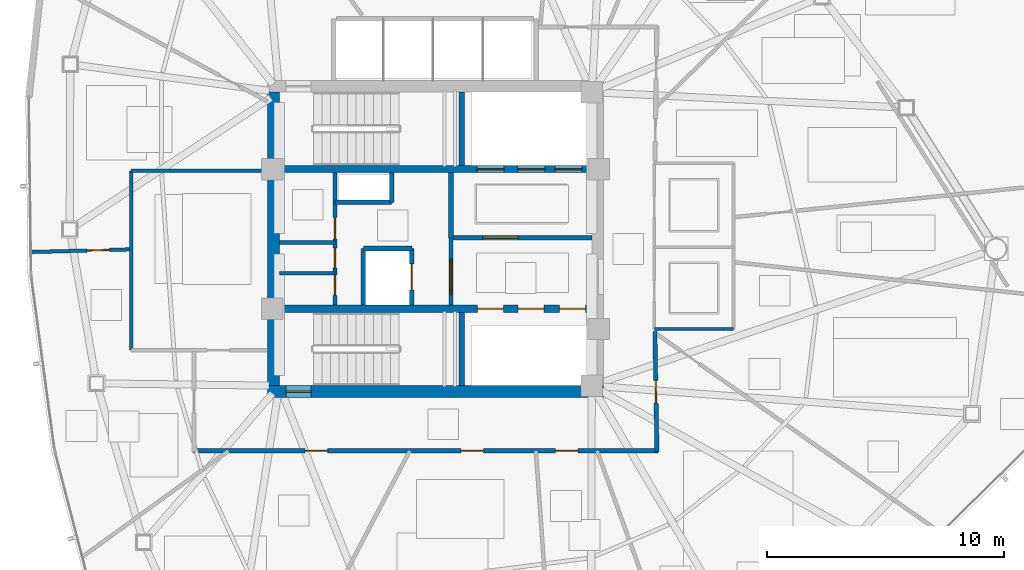
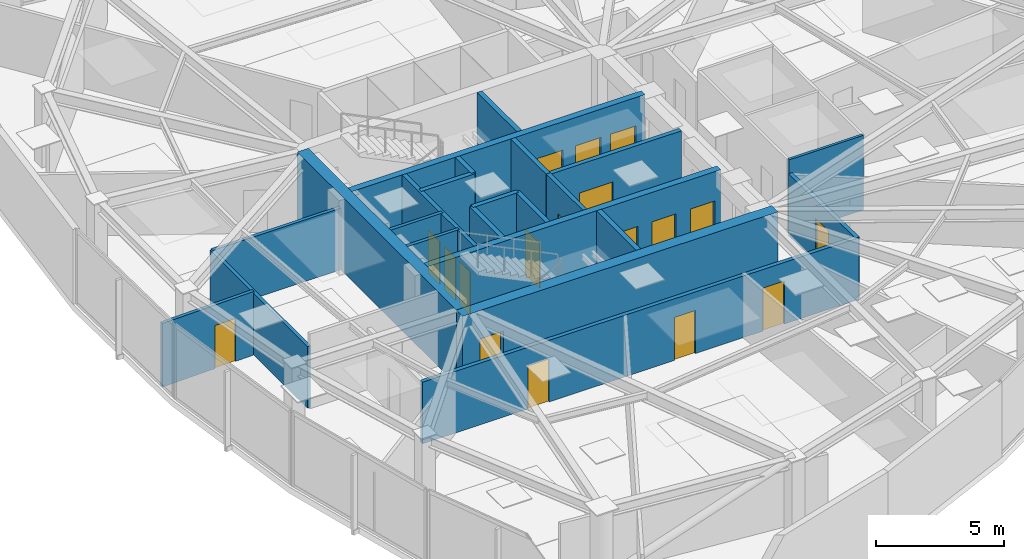
# One storey, part 12 of 18: 23 walls, 18 doors, 18 openings.
"""IFC4 building model written with IfcOpenShell, lengths in metres."""

import ifcopenshell
import ifcopenshell.guid

model = None  # the IFC model being written
_history = None  # IfcOwnerHistory: only IFC2X3 demands one
_inside = {}  # id of a spatial element -> (the spatial element, [elements in it])
_under = {}  # id of a project, library or spatial element -> (it, [spatial elements below it])
_declared = {}  # id of a project -> (the project, [libraries it declares])
_typed = {}  # id of a type object -> (the type object, [elements of that type])
_made_of = {}  # id of a material, layer set ... -> (it, [elements and type objects made of it])


def new_model(schema):
    """Start an empty IFC model of exactly this schema.

    Asked for "IFC4X3", IfcOpenShell would pick the latest addendum, in which some entities
    have other attributes; the version numbers below select the first issue.
    IFC2X3 requires an IfcOwnerHistory on every rooted entity: one is made here for all.
    """
    global model, _history
    if schema == "IFC4X3":
        model = ifcopenshell.file(schema_version=(4, 3, 0, 0))
    else:
        model = ifcopenshell.file(schema=schema)
    _inside.clear()
    _under.clear()
    _declared.clear()
    _typed.clear()
    _made_of.clear()
    _history = None
    if model.schema == "IFC2X3":
        org = make("IfcOrganization", Name="unknown")
        user = make(
            "IfcPersonAndOrganization",
            ThePerson=make("IfcPerson", FamilyName="unknown"),
            TheOrganization=org,
        )
        app = make(
            "IfcApplication",
            ApplicationDeveloper=org,
            Version="unknown",
            ApplicationFullName="unknown",
            ApplicationIdentifier="unknown",
        )
        _history = make(
            "IfcOwnerHistory",
            OwningUser=user,
            OwningApplication=app,
            ChangeAction="ADDED",
            CreationDate=0,
        )
    return model


def make(cls, **values):
    """One entity of the class cls with the attributes given. An attribute that is None is left unset."""
    return model.create_entity(
        cls, **{name: value for name, value in values.items() if value is not None}
    )


def rooted(cls, **values):
    """An entity with a GlobalId (a new one), such as an element, a storey or a relation."""
    return make(cls, GlobalId=ifcopenshell.guid.new(), OwnerHistory=_history, **values)


def si_unit(unit_type, name, prefix=None):
    """IfcSIUnit, for example si_unit("LENGTHUNIT", "METRE", prefix="MILLI")."""
    return make("IfcSIUnit", UnitType=unit_type, Prefix=prefix, Name=name)


def assignment(units):
    """IfcUnitAssignment: the units of a project."""
    return None if units is None else make("IfcUnitAssignment", Units=units)


def point(xyz):
    """IfcCartesianPoint."""
    return None if xyz is None else make("IfcCartesianPoint", Coordinates=xyz)


def direction(xyz):
    """IfcDirection."""
    return None if xyz is None else make("IfcDirection", DirectionRatios=xyz)


def frame(location, z_axis=None, x_axis=None):
    """IfcAxis2Placement3D, a coordinate frame: its origin and axes. An axis left out is left unset."""
    return make(
        "IfcAxis2Placement3D",
        Location=point(location),
        Axis=direction(z_axis),
        RefDirection=direction(x_axis),
    )


def frame_2d(location, x_axis=None):
    """IfcAxis2Placement2D, a coordinate frame in the plane: its origin and x axis."""
    return make(
        "IfcAxis2Placement2D", Location=point(location), RefDirection=direction(x_axis)
    )


def origin():
    """The frame at (0, 0, 0) with its axes left unset."""
    return frame((0.0, 0.0, 0.0))


def place(relative_to, where):
    """IfcLocalPlacement: puts the frame where relative to a parent placement (None: the world)."""
    return make(
        "IfcLocalPlacement", PlacementRelTo=relative_to, RelativePlacement=where
    )


def context(
    kind, dimensions, precision=None, world=None, true_north=None, identifier=None
):
    """IfcGeometricRepresentationContext, for example the 3D "Model" context."""
    return make(
        "IfcGeometricRepresentationContext",
        ContextIdentifier=identifier,
        ContextType=kind,
        CoordinateSpaceDimension=dimensions,
        Precision=precision,
        WorldCoordinateSystem=world,
        TrueNorth=true_north,
    )


def subcontext(parent, identifier, kind, view, scale=None):
    """IfcGeometricRepresentationSubContext, for example "Body" below "Model"."""
    return make(
        "IfcGeometricRepresentationSubContext",
        ContextIdentifier=identifier,
        ContextType=kind,
        ParentContext=parent,
        TargetScale=scale,
        TargetView=view,
    )


def project(units=None, contexts=None):
    """IfcProject with its units and contexts."""
    return rooted(
        "IfcProject",
        Name="project",
        RepresentationContexts=contexts,
        UnitsInContext=assignment(units),
    )


def spatial(cls, under=None, at=None, **own):
    """A site, building, storey or space (cls), placed at a placement, below another one or the project."""
    s = rooted(cls, ObjectPlacement=at, **own)
    if under is not None:
        _under.setdefault(under.id(), (under, []))[1].append(s)
    return s


def profile(cls, at=None, kind="AREA", **sizes):
    """A parametric profile (cls). Its sizes go by their IFC names, for example OverallWidth=200.0."""
    return make(cls, ProfileType=kind, Position=at, **sizes)


def rectangle(**sizes):
    """IfcRectangleProfileDef."""
    return profile("IfcRectangleProfileDef", **sizes)


def extrude(swept, where, along, depth):
    """IfcExtrudedAreaSolid: the profile swept, set in the frame where, extruded along a direction by depth."""
    return make(
        "IfcExtrudedAreaSolid",
        SweptArea=swept,
        Position=where,
        ExtrudedDirection=direction(along),
        Depth=depth,
    )


def shape(context_of_items, identifier, shape_type, items):
    """IfcShapeRepresentation: the items that make up one representation, for example the "Body"."""
    return make(
        "IfcShapeRepresentation",
        ContextOfItems=context_of_items,
        RepresentationIdentifier=identifier,
        RepresentationType=shape_type,
        Items=items,
    )


def material(Name=None, Category=None):
    """IfcMaterial."""
    return make("IfcMaterial", Name=Name, Category=Category)


def layer(
    of_material, thickness, ventilated=None, Name=None, Category=None, Priority=None
):
    """IfcMaterialLayer: one layer of a wall or slab, of a material (None: an air gap)."""
    return make(
        "IfcMaterialLayer",
        Material=of_material,
        LayerThickness=thickness,
        IsVentilated=ventilated,
        Name=Name,
        Category=Category,
        Priority=Priority,
    )


def layer_set(layers, Name=None):
    """IfcMaterialLayerSet."""
    return make("IfcMaterialLayerSet", MaterialLayers=layers, LayerSetName=Name)


def made_of(thing, what):
    """Note that an element or type object is made of a material, layer set ...; save() writes the relation."""
    if what is not None:
        _made_of.setdefault(what.id(), (what, []))[1].append(thing)
    return thing


def type_object(cls, material=None, **own):
    """A type object (cls), such as IfcWallType, which elements share."""
    return made_of(rooted(cls, **own), material)


def element(
    cls,
    number,
    at=None,
    inside=None,
    cuts=None,
    type_object=None,
    material=None,
    context=None,
    identifier="Body",
    shape_type=None,
    held_by="IfcProductDefinitionShape",
    body=None,
    shapes=None,
    **own,
):
    """One element of the class cls, such as IfcWall. Its Tag is "e" and its number.

    at: its placement. inside: the storey or other place that contains it. cuts: it is an
    opening in that element (IfcRelVoidsElement). A single representation is given by context,
    identifier, shape_type and body (its items); several are given by shapes. held_by: the class
    of the entity that holds the representations. save() writes the other relations.
    """
    e = rooted(cls, Tag="e%d" % number, ObjectPlacement=at, **own)
    if body is not None:
        shapes = [shape(context, identifier, shape_type, body)]
    if shapes is not None:
        e.Representation = make(held_by, Representations=shapes)
    if inside is not None:
        _inside.setdefault(inside.id(), (inside, []))[1].append(e)
    if cuts is not None:
        rooted(
            "IfcRelVoidsElement", RelatingBuildingElement=cuts, RelatedOpeningElement=e
        )
    if type_object is not None:
        _typed.setdefault(type_object.id(), (type_object, []))[1].append(e)
    return made_of(e, material)


def fill(opening, filler):
    """IfcRelFillsElement: the door or window that sits in an opening."""
    return rooted(
        "IfcRelFillsElement",
        RelatingOpeningElement=opening,
        RelatedBuildingElement=filler,
    )


def aggregate(whole, parts):
    """IfcRelAggregates: a whole, such as a stair, and the parts it consists of."""
    return rooted("IfcRelAggregates", RelatingObject=whole, RelatedObjects=parts)


def save(model, path):
    """Write the relations noted so far, then the file.

    IfcRelAggregates (storeys below a building ...), IfcRelContainedInSpatialStructure (elements
    in a storey), IfcRelDefinesByType, IfcRelAssociatesMaterial and IfcRelDeclares: one each for
    every whole, place, type object, material and project.
    """
    for whole, parts in _under.values():
        aggregate(whole, parts)
    for where, things in _inside.values():
        rooted(
            "IfcRelContainedInSpatialStructure",
            RelatedElements=things,
            RelatingStructure=where,
        )
    for kind, things in _typed.values():
        rooted("IfcRelDefinesByType", RelatedObjects=things, RelatingType=kind)
    for what, things in _made_of.values():
        rooted("IfcRelAssociatesMaterial", RelatedObjects=things, RelatingMaterial=what)
    for by, libraries in _declared.values():
        rooted("IfcRelDeclares", RelatingContext=by, RelatedDefinitions=libraries)
    model.write(path)


model = new_model("IFC4")

# Units and contexts
model_context = context("Model", 3, precision=1e-05, world=origin(), true_north=direction((0.0, 1.0)))
body_context = subcontext(model_context, "Body", "Model", "MODEL_VIEW")
ifc_project = project(units=[si_unit("LENGTHUNIT", "METRE"), si_unit("AREAUNIT", "SQUARE_METRE"), si_unit("VOLUMEUNIT", "CUBIC_METRE"), si_unit("PLANEANGLEUNIT", "RADIAN"), si_unit("MASSUNIT", "GRAM", prefix="KILO")], contexts=[model_context])

# Site, building, storey
site_placement = place(None, origin())
site = spatial("IfcSite", under=ifc_project, at=site_placement, CompositionType="ELEMENT")
building_placement = place(site_placement, origin())
building = spatial("IfcBuilding", under=site, at=building_placement, Name="Tavelor Broadcast Tower", CompositionType="ELEMENT")
storey_placement = place(building_placement, frame((0.0, 0.0, 177.199951171875)))
storey = spatial("IfcBuildingStorey", under=building, at=storey_placement, Name="L42", CompositionType="ELEMENT", Elevation=177.199951171875)

# Wall, opening, door
ifc_material_1 = material(Name="Concrete C50/60", Category="concrete")
ifc_layer_1 = layer(ifc_material_1, 0.5)
ifc_layer_set_1 = layer_set([ifc_layer_1], Name="Concrete C50/60")
wall_type_1 = type_object("IfcWallType", Name="Core Shear Wall 500 mm", PredefinedType="SHEAR", material=ifc_layer_set_1)
wall_1_placement = place(storey_placement, frame((42.89990234375, 38.550048828125, 0.0), z_axis=(0.0, 0.0, 1.0), x_axis=(1.0, 0.0, 0.0)))
wall_1 = element("IfcWall", 1, at=wall_1_placement, inside=storey, type_object=wall_type_1, Name="L42 Central Core Shear Wall S", PredefinedType="SHEAR", context=body_context, shape_type="SweptSolid", body=[
    extrude(rectangle(XDim=14.2001953125, YDim=0.5, at=frame_2d((7.10009765625, 0.0))), origin(), (0.0, 0.0, 1.0), 3.550048828125),
])
opening_1_placement = place(wall_1_placement, frame((0.780029296875, 0.0, 0.0)))
opening_1 = element("IfcOpeningElement", 2, at=opening_1_placement, cuts=wall_1, Name="Opening DR11", PredefinedType="OPENING", context=body_context, shape_type="SweptSolid", body=[
    extrude(rectangle(XDim=1.050048828125, YDim=2.199951171875, at=frame_2d((0.52490234375, 1.10009765625))), frame((0.0, 0.260009765625, 0.0), z_axis=(0.0, -1.0, 0.0), x_axis=(1.0, 0.0, 0.0)), (0.0, 0.0, 1.0), 0.52001953125),
])
ifc_material_2 = material(Name="Steel S355", Category="steel")
door_type_1 = type_object("IfcDoorType", Name="Stair Core Fire Escape Door 1050x2200", OperationType="NOTDEFINED", PredefinedType="DOOR", material=ifc_material_2)
door_1_placement = place(opening_1_placement, origin())
door_1 = element("IfcDoor", 3, at=door_1_placement, inside=storey, type_object=door_type_1, Name="L42 Stair ST2 Protected Exit Door", OperationType="SINGLE_SWING_RIGHT", OverallHeight=2.199951171875, OverallWidth=1.050048828125, PredefinedType="DOOR", context=body_context, shape_type="SweptSolid", body=[
    extrude(rectangle(XDim=1.050048828125, YDim=2.199951171875, at=frame_2d((0.52490234375, 1.10009765625))), frame((0.0, 0.02490234375, 0.0), z_axis=(0.0, -1.0, 0.0), x_axis=(1.0, 0.0, 0.0)), (0.0, 0.0, 1.0), 0.050048828125),
])
fill(opening_1, door_1)

# Wall
wall_2_placement = place(storey_placement, frame((43.14990234375, 38.800048828125, 0.0), z_axis=(0.0, 0.0, 1.0), x_axis=(0.0, 1.0, 0.0)))
element("IfcWall", 4, at=wall_2_placement, inside=storey, type_object=wall_type_1, Name="L42 Central Core Shear Wall W", PredefinedType="SHEAR", context=body_context, shape_type="SweptSolid", body=[
    extrude(rectangle(XDim=12.39990234375, YDim=0.5, at=frame_2d((6.199951171875, 0.0))), origin(), (0.0, 0.0, 1.0), 3.550048828125),
])

# Wall, openings, doors
ifc_layer_2 = layer(ifc_material_1, 0.300048828125)
ifc_layer_set_2 = layer_set([ifc_layer_2], Name="Concrete C50/60")
wall_type_2 = type_object("IfcWallType", Name="Core Spine Shear Wall 300 mm C50", PredefinedType="SHEAR", material=ifc_layer_set_2)
wall_3_placement = place(storey_placement, frame((43.39990234375, 47.949951171875, 0.0), z_axis=(0.0, 0.0, 1.0), x_axis=(1.0, 0.0, 0.0)))
wall_3 = element("IfcWall", 5, at=wall_3_placement, inside=storey, type_object=wall_type_2, Name="L42 Central Core Shear Wall SP1", PredefinedType="SHEAR", context=body_context, shape_type="SweptSolid", body=[
    extrude(rectangle(XDim=13.2001953125, YDim=0.300048828125, at=frame_2d((6.60009765625, 0.0))), origin(), (0.0, 0.0, 1.0), 3.550048828125),
])
opening_2_placement = place(wall_3_placement, frame((8.344970703125, 0.0, 0.0)))
opening_2 = element("IfcOpeningElement", 6, at=opening_2_placement, cuts=wall_3, Name="Opening LD02", PredefinedType="OPENING", context=body_context, shape_type="SweptSolid", body=[
    extrude(rectangle(XDim=1.14990234375, YDim=2.199951171875, at=frame_2d((0.574951171875, 1.10009765625))), frame((0.0, 0.16015625, 0.0), z_axis=(0.0, -1.0, 0.0), x_axis=(1.0, 0.0, 0.0)), (0.0, 0.0, 1.0), 0.320068359375),
])
opening_3_placement = place(wall_3_placement, frame((10.06494140625, 0.0, 0.0)))
opening_3 = element("IfcOpeningElement", 7, at=opening_3_placement, cuts=wall_3, Name="Opening LD02", PredefinedType="OPENING", context=body_context, shape_type="SweptSolid", body=[
    extrude(rectangle(XDim=1.14990234375, YDim=2.199951171875, at=frame_2d((0.574951171875, 1.10009765625))), frame((0.0, 0.16015625, 0.0), z_axis=(0.0, -1.0, 0.0), x_axis=(1.0, 0.0, 0.0)), (0.0, 0.0, 1.0), 0.320068359375),
])
opening_4_placement = place(wall_3_placement, frame((11.64501953125, 0.0, 0.0)))
opening_4 = element("IfcOpeningElement", 8, at=opening_4_placement, cuts=wall_3, Name="Opening LD03", PredefinedType="OPENING", context=body_context, shape_type="SweptSolid", body=[
    extrude(rectangle(XDim=1.14990234375, YDim=2.199951171875, at=frame_2d((0.574951171875, 1.10009765625))), frame((0.0, 0.16015625, 0.0), z_axis=(0.0, -1.0, 0.0), x_axis=(1.0, 0.0, 0.0)), (0.0, 0.0, 1.0), 0.320068359375),
])
ifc_material_3 = material(Name="Reinforced Brushed Stainless Steel", Category="concrete")
door_type_2 = type_object("IfcDoorType", Name="Broadcast Goods Lift Sliding Landing Door 1250x2200", OperationType="NOTDEFINED", PredefinedType="DOOR", material=ifc_material_3)
door_2_placement = place(opening_4_placement, origin())
door_2 = element("IfcDoor", 9, at=door_2_placement, inside=storey, type_object=door_type_2, Name="L42 Lift SVL1 Sliding Landing Door", OperationType="SLIDING_TO_LEFT", OverallHeight=2.199951171875, OverallWidth=1.14990234375, PredefinedType="DOOR", context=body_context, shape_type="SweptSolid", body=[
    extrude(rectangle(XDim=1.14990234375, YDim=2.199951171875, at=frame_2d((0.574951171875, 1.10009765625))), frame((0.0, 0.02490234375, 0.0), z_axis=(0.0, -1.0, 0.0), x_axis=(1.0, 0.0, 0.0)), (0.0, 0.0, 1.0), 0.050048828125),
])
fill(opening_4, door_2)
ifc_material_4 = material(Name="Fire-Rated Stainless Steel", Category="steel")
door_type_3 = type_object("IfcDoorType", Name="Firefighting Lift Sliding Landing Door 1200x2200", OperationType="NOTDEFINED", PredefinedType="DOOR", material=ifc_material_4)
door_3_placement = place(opening_2_placement, origin())
door_3 = element("IfcDoor", 10, at=door_3_placement, inside=storey, type_object=door_type_3, Name="L42 Lift FFL1 Sliding Landing Door", OperationType="SLIDING_TO_LEFT", OverallHeight=2.199951171875, OverallWidth=1.14990234375, PredefinedType="DOOR", context=body_context, shape_type="SweptSolid", body=[
    extrude(rectangle(XDim=1.14990234375, YDim=2.199951171875, at=frame_2d((0.574951171875, 1.10009765625))), frame((0.0, 0.02490234375, 0.0), z_axis=(0.0, -1.0, 0.0), x_axis=(1.0, 0.0, 0.0)), (0.0, 0.0, 1.0), 0.050048828125),
])
fill(opening_2, door_3)
door_4_placement = place(opening_3_placement, origin())
door_4 = element("IfcDoor", 11, at=door_4_placement, inside=storey, type_object=door_type_3, Name="L42 Lift FFL2 Sliding Landing Door", OperationType="SLIDING_TO_LEFT", OverallHeight=2.199951171875, OverallWidth=1.14990234375, PredefinedType="DOOR", context=body_context, shape_type="SweptSolid", body=[
    extrude(rectangle(XDim=1.14990234375, YDim=2.199951171875, at=frame_2d((0.574951171875, 1.10009765625))), frame((0.0, 0.02490234375, 0.0), z_axis=(0.0, -1.0, 0.0), x_axis=(1.0, 0.0, 0.0)), (0.0, 0.0, 1.0), 0.050048828125),
])
fill(opening_3, door_4)

wall_4_placement = place(storey_placement, frame((43.39990234375, 42.050048828125, 0.0), z_axis=(0.0, 0.0, 1.0), x_axis=(1.0, 0.0, 0.0)))
wall_4 = element("IfcWall", 12, at=wall_4_placement, inside=storey, type_object=wall_type_2, Name="L42 Central Core Shear Wall SP2", PredefinedType="SHEAR", context=body_context, shape_type="SweptSolid", body=[
    extrude(rectangle(XDim=13.2001953125, YDim=0.300048828125, at=frame_2d((6.60009765625, 0.0))), origin(), (0.0, 0.0, 1.0), 3.550048828125),
])
opening_5_placement = place(wall_4_placement, frame((8.3701171875, 0.0, 0.0)))
opening_5 = element("IfcOpeningElement", 13, at=opening_5_placement, cuts=wall_4, Name="Opening LD01", PredefinedType="OPENING", context=body_context, shape_type="SweptSolid", body=[
    extrude(rectangle(XDim=1.10009765625, YDim=2.14990234375, at=frame_2d((0.550048828125, 1.074951171875))), frame((0.0, 0.16015625, 0.0), z_axis=(0.0, -1.0, 0.0), x_axis=(1.0, 0.0, 0.0)), (0.0, 0.0, 1.0), 0.320068359375),
])
opening_6_placement = place(wall_4_placement, frame((10.090087890625, 0.0, 0.0)))
opening_6 = element("IfcOpeningElement", 14, at=opening_6_placement, cuts=wall_4, Name="Opening LD01", PredefinedType="OPENING", context=body_context, shape_type="SweptSolid", body=[
    extrude(rectangle(XDim=1.10009765625, YDim=2.14990234375, at=frame_2d((0.550048828125, 1.074951171875))), frame((0.0, 0.16015625, 0.0), z_axis=(0.0, -1.0, 0.0), x_axis=(1.0, 0.0, 0.0)), (0.0, 0.0, 1.0), 0.320068359375),
])
opening_7_placement = place(wall_4_placement, frame((11.830078125, 0.0, 0.0)))
opening_7 = element("IfcOpeningElement", 15, at=opening_7_placement, cuts=wall_4, Name="Opening LD01", PredefinedType="OPENING", context=body_context, shape_type="SweptSolid", body=[
    extrude(rectangle(XDim=1.10009765625, YDim=2.14990234375, at=frame_2d((0.550048828125, 1.074951171875))), frame((0.0, 0.16015625, 0.0), z_axis=(0.0, -1.0, 0.0), x_axis=(1.0, 0.0, 0.0)), (0.0, 0.0, 1.0), 0.320068359375),
])
ifc_material_5 = material(Name="Brushed Stainless Steel", Category="steel")
door_type_4 = type_object("IfcDoorType", Name="Passenger Lift Sliding Landing Door 1100x2150", OperationType="NOTDEFINED", PredefinedType="DOOR", material=ifc_material_5)
door_5_placement = place(opening_5_placement, origin())
door_5 = element("IfcDoor", 16, at=door_5_placement, inside=storey, type_object=door_type_4, Name="L42 Lift PLM1 Sliding Landing Door", OperationType="SLIDING_TO_LEFT", OverallHeight=2.14990234375, OverallWidth=1.10009765625, PredefinedType="DOOR", context=body_context, shape_type="SweptSolid", body=[
    extrude(rectangle(XDim=1.10009765625, YDim=2.14990234375, at=frame_2d((0.550048828125, 1.074951171875))), frame((0.0, 0.02490234375, 0.0), z_axis=(0.0, -1.0, 0.0), x_axis=(1.0, 0.0, 0.0)), (0.0, 0.0, 1.0), 0.050048828125),
])
fill(opening_5, door_5)
door_6_placement = place(opening_6_placement, origin())
door_6 = element("IfcDoor", 17, at=door_6_placement, inside=storey, type_object=door_type_4, Name="L42 Lift PLM2 Sliding Landing Door", OperationType="SLIDING_TO_LEFT", OverallHeight=2.14990234375, OverallWidth=1.10009765625, PredefinedType="DOOR", context=body_context, shape_type="SweptSolid", body=[
    extrude(rectangle(XDim=1.10009765625, YDim=2.14990234375, at=frame_2d((0.550048828125, 1.074951171875))), frame((0.0, 0.02490234375, 0.0), z_axis=(0.0, -1.0, 0.0), x_axis=(1.0, 0.0, 0.0)), (0.0, 0.0, 1.0), 0.050048828125),
])
fill(opening_6, door_6)
door_7_placement = place(opening_7_placement, origin())
door_7 = element("IfcDoor", 18, at=door_7_placement, inside=storey, type_object=door_type_4, Name="L42 Lift PLM3 Sliding Landing Door", OperationType="SLIDING_TO_LEFT", OverallHeight=2.14990234375, OverallWidth=1.10009765625, PredefinedType="DOOR", context=body_context, shape_type="SweptSolid", body=[
    extrude(rectangle(XDim=1.10009765625, YDim=2.14990234375, at=frame_2d((0.550048828125, 1.074951171875))), frame((0.0, 0.02490234375, 0.0), z_axis=(0.0, -1.0, 0.0), x_axis=(1.0, 0.0, 0.0)), (0.0, 0.0, 1.0), 0.050048828125),
])
fill(opening_7, door_7)

# Wall, opening, door
ifc_material_6 = material(Name="Calcium Silicate Fire Board 180 mm", Category="gypsum")
ifc_layer_3 = layer(ifc_material_6, 0.179931640625)
ifc_layer_set_3 = layer_set([ifc_layer_3], Name="Calcium Silicate Fire Board 180 mm")
wall_type_3 = type_object("IfcWallType", Name="Fire-Rated Corridor Partition Wall 180 mm", PredefinedType="PARTITIONING", material=ifc_layer_set_3)
wall_5_placement = place(storey_placement, frame((50.64990234375, 42.199951171875, 0.0), z_axis=(0.0, 0.0, 1.0), x_axis=(0.0, 1.0, 0.0)))
wall_5 = element("IfcWall", 19, at=wall_5_placement, inside=storey, type_object=wall_type_3, Name="L42 Core Lobby Zoning Wall", PredefinedType="PARTITIONING", context=body_context, shape_type="SweptSolid", body=[
    extrude(rectangle(XDim=2.85009765625, YDim=0.179931640625, at=frame_2d((1.425048828125, 0.0))), origin(), (0.0, 0.0, 1.0), 3.550048828125),
])
opening_8_placement = place(wall_5_placement, frame((0.449951171875, 0.0, 0.0)))
opening_8 = element("IfcOpeningElement", 20, at=opening_8_placement, cuts=wall_5, Name="Opening DR14", PredefinedType="OPENING", context=body_context, shape_type="SweptSolid", body=[
    extrude(rectangle(XDim=1.5, YDim=2.199951171875, at=frame_2d((0.75, 1.10009765625))), frame((0.0, 0.10009765625, 0.0), z_axis=(0.0, -1.0, 0.0), x_axis=(1.0, 0.0, 0.0)), (0.0, 0.0, 1.0), 0.199951171875),
])
door_type_5 = type_object("IfcDoorType", Name="Firefighting Lobby Double Fire Door 1500x2200", OperationType="NOTDEFINED", PredefinedType="DOOR", material=ifc_material_2)
door_8_placement = place(opening_8_placement, origin())
door_8 = element("IfcDoor", 21, at=door_8_placement, inside=storey, type_object=door_type_5, Name="L42 Core West Lobby Double Fire Door", OperationType="SINGLE_SWING_RIGHT", OverallHeight=2.199951171875, OverallWidth=1.5, PredefinedType="DOOR", context=body_context, shape_type="SweptSolid", body=[
    extrude(rectangle(XDim=1.5, YDim=2.199951171875, at=frame_2d((0.75, 1.10009765625))), frame((0.0, 0.02490234375, 0.0), z_axis=(0.0, -1.0, 0.0), x_axis=(1.0, 0.0, 0.0)), (0.0, 0.0, 1.0), 0.050048828125),
])
fill(opening_8, door_8)

# Wall, openings, doors
wall_6_placement = place(storey_placement, frame((45.75, 42.199951171875, 0.0), z_axis=(0.0, 0.0, 1.0), x_axis=(0.0, 1.0, 0.0)))
wall_6 = element("IfcWall", 22, at=wall_6_placement, inside=storey, type_object=wall_type_3, Name="L42 Core West Service East Wall", PredefinedType="PARTITIONING", context=body_context, shape_type="SweptSolid", body=[
    extrude(rectangle(XDim=5.60009765625, YDim=0.179931640625, at=frame_2d((2.800048828125, 0.0))), origin(), (0.0, 0.0, 1.0), 3.550048828125),
])
opening_9_placement = place(wall_6_placement, frame((0.419921875, 0.0, 0.0)))
opening_9 = element("IfcOpeningElement", 23, at=opening_9_placement, cuts=wall_6, Name="Opening DR36", PredefinedType="OPENING", context=body_context, shape_type="SweptSolid", body=[
    extrude(rectangle(XDim=0.85009765625, YDim=2.050048828125, at=frame_2d((0.425048828125, 1.02490234375))), frame((0.0, 0.10009765625, 0.0), z_axis=(0.0, -1.0, 0.0), x_axis=(1.0, 0.0, 0.0)), (0.0, 0.0, 1.0), 0.199951171875),
])
opening_10_placement = place(wall_6_placement, frame((1.570068359375, 0.0, 0.0)))
opening_10 = element("IfcOpeningElement", 24, at=opening_10_placement, cuts=wall_6, Name="Opening DR36", PredefinedType="OPENING", context=body_context, shape_type="SweptSolid", body=[
    extrude(rectangle(XDim=0.85009765625, YDim=2.050048828125, at=frame_2d((0.425048828125, 1.02490234375))), frame((0.0, 0.10009765625, 0.0), z_axis=(0.0, -1.0, 0.0), x_axis=(1.0, 0.0, 0.0)), (0.0, 0.0, 1.0), 0.199951171875),
])
opening_11_placement = place(wall_6_placement, frame((2.800048828125, 0.0, 0.0)))
opening_11 = element("IfcOpeningElement", 25, at=opening_11_placement, cuts=wall_6, Name="Opening DR32", PredefinedType="OPENING", context=body_context, shape_type="SweptSolid", body=[
    extrude(rectangle(XDim=0.89990234375, YDim=2.050048828125, at=frame_2d((0.449951171875, 1.02490234375))), frame((0.0, 0.10009765625, 0.0), z_axis=(0.0, -1.0, 0.0), x_axis=(1.0, 0.0, 0.0)), (0.0, 0.0, 1.0), 0.199951171875),
])
ifc_material_7 = material(Name="Timber Solid Core Hardwood", Category="wood")
door_type_6 = type_object("IfcDoorType", Name="Accessible Washroom Door 900x2050", OperationType="NOTDEFINED", PredefinedType="DOOR", material=ifc_material_7)
door_9_placement = place(opening_11_placement, origin())
door_9 = element("IfcDoor", 26, at=door_9_placement, inside=storey, type_object=door_type_6, Name="L42 Core Accessible WC Door", OperationType="SINGLE_SWING_LEFT", OverallHeight=2.050048828125, OverallWidth=0.89990234375, PredefinedType="DOOR", context=body_context, shape_type="SweptSolid", body=[
    extrude(rectangle(XDim=0.89990234375, YDim=2.050048828125, at=frame_2d((0.449951171875, 1.02490234375))), frame((0.0, 0.02490234375, 0.0), z_axis=(0.0, -1.0, 0.0), x_axis=(1.0, 0.0, 0.0)), (0.0, 0.0, 1.0), 0.050048828125),
])
fill(opening_11, door_9)
door_type_7 = type_object("IfcDoorType", Name="Service Room Fire Door 850x2050", OperationType="NOTDEFINED", PredefinedType="DOOR", material=ifc_material_2)
door_10_placement = place(opening_9_placement, origin())
door_10 = element("IfcDoor", 27, at=door_10_placement, inside=storey, type_object=door_type_7, Name="L42 Core Medical Room Door", OperationType="SINGLE_SWING_LEFT", OverallHeight=2.050048828125, OverallWidth=0.85009765625, PredefinedType="DOOR", context=body_context, shape_type="SweptSolid", body=[
    extrude(rectangle(XDim=0.85009765625, YDim=2.050048828125, at=frame_2d((0.425048828125, 1.02490234375))), frame((0.0, 0.02490234375, 0.0), z_axis=(0.0, -1.0, 0.0), x_axis=(1.0, 0.0, 0.0)), (0.0, 0.0, 1.0), 0.050048828125),
])
fill(opening_9, door_10)
door_11_placement = place(opening_10_placement, origin())
door_11 = element("IfcDoor", 28, at=door_11_placement, inside=storey, type_object=door_type_7, Name="L42 Core Copy Room Door", OperationType="SINGLE_SWING_RIGHT", OverallHeight=2.050048828125, OverallWidth=0.85009765625, PredefinedType="DOOR", context=body_context, shape_type="SweptSolid", body=[
    extrude(rectangle(XDim=0.85009765625, YDim=2.050048828125, at=frame_2d((0.425048828125, 1.02490234375))), frame((0.0, 0.02490234375, 0.0), z_axis=(0.0, -1.0, 0.0), x_axis=(1.0, 0.0, 0.0)), (0.0, 0.0, 1.0), 0.050048828125),
])
fill(opening_10, door_11)

# Wall, opening, door
wall_7_placement = place(storey_placement, frame((59.265869140625, 41.10009765625, 0.0), z_axis=(0.0, 0.0, 1.0), x_axis=(0.016656377357, -0.999861272924, 0.0)))
wall_7 = element("IfcWall", 29, at=wall_7_placement, inside=storey, type_object=wall_type_3, Name="L42 Corridor Compartment Wall 03", PredefinedType="PARTITIONING", context=body_context, shape_type="SweptSolid", body=[
    extrude(rectangle(XDim=5.100830078125, YDim=0.179931640625, at=frame_2d((2.55029296875, 0.0))), origin(), (0.0, 0.0, 1.0), 2.93505859375),
])
opening_12_placement = place(wall_7_placement, frame((2.0751953125, 0.0, 0.0)))
opening_12 = element("IfcOpeningElement", 30, at=opening_12_placement, cuts=wall_7, Name="Opening DR18", PredefinedType="OPENING", context=body_context, shape_type="SweptSolid", body=[
    extrude(rectangle(XDim=0.949951171875, YDim=2.050048828125, at=frame_2d((0.47509765625, 1.02490234375))), frame((0.0, 0.10009765625, 0.0), z_axis=(0.0, -1.0, 0.0), x_axis=(1.0, 0.0, 0.0)), (0.0, 0.0, 1.0), 0.199951171875),
])
door_type_8 = type_object("IfcDoorType", Name="Corridor Rated Compartment Door 950x2050", OperationType="NOTDEFINED", PredefinedType="DOOR", material=ifc_material_7)
door_12_placement = place(opening_12_placement, origin())
door_12 = element("IfcDoor", 31, at=door_12_placement, inside=storey, type_object=door_type_8, Name="L42 Syndication Legal Office Door R0", OperationType="SINGLE_SWING_LEFT", OverallHeight=2.050048828125, OverallWidth=0.949951171875, PredefinedType="DOOR", context=body_context, shape_type="SweptSolid", body=[
    extrude(rectangle(XDim=0.949951171875, YDim=2.050048828125, at=frame_2d((0.47509765625, 1.02490234375))), frame((0.0, 0.02490234375, 0.0), z_axis=(0.0, -1.0, 0.0), x_axis=(1.0, 0.0, 0.0)), (0.0, 0.0, 1.0), 0.050048828125),
])
fill(opening_12, door_12)

# Wall, openings, doors
wall_8_placement = place(storey_placement, frame((59.39990234375, 36.050048828125, 0.0), z_axis=(0.0, 0.0, 1.0), x_axis=(-1.0, 0.0, 0.0)))
wall_8 = element("IfcWall", 32, at=wall_8_placement, inside=storey, type_object=wall_type_3, Name="L42 Corridor Compartment Wall 04", PredefinedType="PARTITIONING", context=body_context, shape_type="SweptSolid", body=[
    extrude(rectangle(XDim=19.64990234375, YDim=0.179931640625, at=frame_2d((9.824951171875, 0.0))), origin(), (0.0, 0.0, 1.0), 2.93505859375),
])
opening_13_placement = place(wall_8_placement, frame((3.373779296875, 0.0, 0.0)))
opening_13 = element("IfcOpeningElement", 33, at=opening_13_placement, cuts=wall_8, Name="Opening DR18", PredefinedType="OPENING", context=body_context, shape_type="SweptSolid", body=[
    extrude(rectangle(XDim=0.949951171875, YDim=2.050048828125, at=frame_2d((0.47509765625, 1.02490234375))), frame((0.0, 0.10009765625, 0.0), z_axis=(0.0, -1.0, 0.0), x_axis=(1.0, 0.0, 0.0)), (0.0, 0.0, 1.0), 0.199951171875),
])
opening_14_placement = place(wall_8_placement, frame((7.369384765625, 0.0, 0.0)))
opening_14 = element("IfcOpeningElement", 34, at=opening_14_placement, cuts=wall_8, Name="Opening DR18", PredefinedType="OPENING", context=body_context, shape_type="SweptSolid", body=[
    extrude(rectangle(XDim=0.949951171875, YDim=2.050048828125, at=frame_2d((0.47509765625, 1.02490234375))), frame((0.0, 0.10009765625, 0.0), z_axis=(0.0, -1.0, 0.0), x_axis=(1.0, 0.0, 0.0)), (0.0, 0.0, 1.0), 0.199951171875),
])
opening_15_placement = place(wall_8_placement, frame((13.95703125, 0.0, 0.0)))
opening_15 = element("IfcOpeningElement", 35, at=opening_15_placement, cuts=wall_8, Name="Opening DR18", PredefinedType="OPENING", context=body_context, shape_type="SweptSolid", body=[
    extrude(rectangle(XDim=0.949951171875, YDim=2.050048828125, at=frame_2d((0.47509765625, 1.02490234375))), frame((0.0, 0.10009765625, 0.0), z_axis=(0.0, -1.0, 0.0), x_axis=(1.0, 0.0, 0.0)), (0.0, 0.0, 1.0), 0.199951171875),
])
door_13_placement = place(opening_13_placement, origin())
door_13 = element("IfcDoor", 36, at=door_13_placement, inside=storey, type_object=door_type_8, Name="L42 Colour Grading Studio Door R13", OperationType="SINGLE_SWING_RIGHT", OverallHeight=2.050048828125, OverallWidth=0.949951171875, PredefinedType="DOOR", context=body_context, shape_type="SweptSolid", body=[
    extrude(rectangle(XDim=0.949951171875, YDim=2.050048828125, at=frame_2d((0.47509765625, 1.02490234375))), frame((0.0, 0.02490234375, 0.0), z_axis=(0.0, -1.0, 0.0), x_axis=(1.0, 0.0, 0.0)), (0.0, 0.0, 1.0), 0.050048828125),
])
fill(opening_13, door_13)
door_14_placement = place(opening_14_placement, origin())
door_14 = element("IfcDoor", 37, at=door_14_placement, inside=storey, type_object=door_type_8, Name="L42 Documentary Planning Office Door R2", OperationType="SINGLE_SWING_LEFT", OverallHeight=2.050048828125, OverallWidth=0.949951171875, PredefinedType="DOOR", context=body_context, shape_type="SweptSolid", body=[
    extrude(rectangle(XDim=0.949951171875, YDim=2.050048828125, at=frame_2d((0.47509765625, 1.02490234375))), frame((0.0, 0.02490234375, 0.0), z_axis=(0.0, -1.0, 0.0), x_axis=(1.0, 0.0, 0.0)), (0.0, 0.0, 1.0), 0.050048828125),
])
fill(opening_14, door_14)
door_15_placement = place(opening_15_placement, origin())
door_15 = element("IfcDoor", 38, at=door_15_placement, inside=storey, type_object=door_type_8, Name="L42 Digital Publishing Workspace Door R3", OperationType="SINGLE_SWING_RIGHT", OverallHeight=2.050048828125, OverallWidth=0.949951171875, PredefinedType="DOOR", context=body_context, shape_type="SweptSolid", body=[
    extrude(rectangle(XDim=0.949951171875, YDim=2.050048828125, at=frame_2d((0.47509765625, 1.02490234375))), frame((0.0, 0.02490234375, 0.0), z_axis=(0.0, -1.0, 0.0), x_axis=(1.0, 0.0, 0.0)), (0.0, 0.0, 1.0), 0.050048828125),
])
fill(opening_15, door_15)

# Walls
ifc_material_8 = material(Name="Gypsum Acoustic Plasterboard 150 mm", Category="gypsum")
ifc_layer_4 = layer(ifc_material_8, 0.14990234375)
ifc_layer_set_4 = layer_set([ifc_layer_4], Name="Gypsum Acoustic Plasterboard 150 mm")
wall_type_4 = type_object("IfcWallType", Name="Interior Acoustic Partition Wall 150 mm", PredefinedType="PARTITIONING", material=ifc_layer_set_4)
for number, where, z_axis, x_axis, name in (
    (39, (43.39990234375, 43.550048828125, 0.0), (0.0, 0.0, 1.0), (1.0, 0.0, 0.0), "L42 Core Split Wall B1"),
    (40, (43.39990234375, 44.85009765625, 0.0), (0.0, 0.0, 1.0), (1.0, 0.0, 0.0), "L42 Core Split Wall B2"),
):
    element("IfcWall", number, at=place(storey_placement, frame(where, z_axis=z_axis, x_axis=x_axis)), inside=storey, type_object=wall_type_4, Name=name, PredefinedType="PARTITIONING", context=body_context, shape_type="SweptSolid", body=[
        extrude(rectangle(XDim=2.35009765625, YDim=0.14990234375, at=frame_2d((1.175048828125, 0.0))), origin(), (0.0, 0.0, 1.0), 3.550048828125),
    ])
wall_9_placement = place(storey_placement, frame((37.139892578125, 40.300048828125, 0.0), z_axis=(0.0, 0.0, 1.0), x_axis=(0.0, 1.0, 0.0)))
element("IfcWall", 41, at=wall_9_placement, inside=storey, type_object=wall_type_4, Name="L42 Reclaimed Shaft Pantry West Wall", PredefinedType="PARTITIONING", context=body_context, shape_type="SweptSolid", body=[
    extrude(rectangle(XDim=7.579833984375, YDim=0.14990234375, at=frame_2d((3.7900390625, 0.0))), origin(), (0.0, 0.0, 1.0), 2.93505859375),
])
wall_10_placement = place(storey_placement, frame((37.139892578125, 47.8798828125, 0.0), z_axis=(0.0, 0.0, 1.0), x_axis=(1.0, 0.0, 0.0)))
element("IfcWall", 42, at=wall_10_placement, inside=storey, type_object=wall_type_4, Name="L42 Reclaimed Shaft Pantry North Wall", PredefinedType="PARTITIONING", context=body_context, shape_type="SweptSolid", body=[
    extrude(rectangle(XDim=5.760009765625, YDim=0.14990234375, at=frame_2d((2.8798828125, 0.0))), origin(), (0.0, 0.0, 1.0), 2.93505859375),
])

# Wall, opening, door
wall_11_placement = place(storey_placement, frame((37.080078125, 44.558837890625, 0.0), z_axis=(0.0, 0.0, 1.0), x_axis=(-0.99964326515, -0.026708471324, 0.0)))
wall_11 = element("IfcWall", 43, at=wall_11_placement, inside=storey, type_object=wall_type_4, Name="L42 Radial Compartment Wall 02", PredefinedType="PARTITIONING", context=body_context, shape_type="SweptSolid", body=[
    extrude(rectangle(XDim=4.1865234375, YDim=0.14990234375, at=frame_2d((2.09326171875, 0.0))), origin(), (0.0, 0.0, 1.0), 3.025146484375),
])
opening_16_placement = place(wall_11_placement, frame((0.85009765625, 0.0, 0.0)))
opening_16 = element("IfcOpeningElement", 44, at=opening_16_placement, cuts=wall_11, Name="Opening DR18", PredefinedType="OPENING", context=body_context, shape_type="SweptSolid", body=[
    extrude(rectangle(XDim=0.949951171875, YDim=2.050048828125, at=frame_2d((0.47509765625, 1.02490234375))), frame((0.0, 0.0849609375, 0.0), z_axis=(0.0, -1.0, 0.0), x_axis=(1.0, 0.0, 0.0)), (0.0, 0.0, 1.0), 0.169921875),
])
door_16_placement = place(opening_16_placement, origin())
door_16 = element("IfcDoor", 45, at=door_16_placement, inside=storey, type_object=door_type_8, Name="L42 Suite Connecting Door 5", OperationType="SINGLE_SWING_RIGHT", OverallHeight=2.050048828125, OverallWidth=0.949951171875, PredefinedType="DOOR", context=body_context, shape_type="SweptSolid", body=[
    extrude(rectangle(XDim=0.949951171875, YDim=2.050048828125, at=frame_2d((0.47509765625, 1.02490234375))), frame((0.0, 0.02490234375, 0.0), z_axis=(0.0, -1.0, 0.0), x_axis=(1.0, 0.0, 0.0)), (0.0, 0.0, 1.0), 0.050048828125),
])
fill(opening_16, door_16)

ifc_material_9 = material(Name="Concrete Blockwork 200 mm", Category="masonry")
ifc_layer_5 = layer(ifc_material_9, 0.199951171875)
ifc_layer_set_5 = layer_set([ifc_layer_5], Name="Concrete Blockwork 200 mm")
wall_type_5 = type_object("IfcWallType", Name="Lift Hoistway Rated Front Wall 200 mm", PredefinedType="PARTITIONING", material=ifc_layer_set_5)
wall_12_placement = place(storey_placement, frame((49.0, 42.199951171875, 0.0), z_axis=(0.0, 0.0, 1.0), x_axis=(0.0, 1.0, 0.0)))
wall_12 = element("IfcWall", 46, at=wall_12_placement, inside=storey, type_object=wall_type_5, Name="L42 Mid-Rise Lift PLM4 Hoistway Front Wall", PredefinedType="PARTITIONING", context=body_context, shape_type="SweptSolid", body=[
    extrude(rectangle(XDim=2.400146484375, YDim=0.199951171875, at=frame_2d((1.2001953125, 0.0))), origin(), (0.0, 0.0, 1.0), 3.550048828125),
])
opening_17_placement = place(wall_12_placement, frame((0.64990234375, 0.0, 0.0)))
opening_17 = element("IfcOpeningElement", 47, at=opening_17_placement, cuts=wall_12, Name="Opening LD01", PredefinedType="OPENING", context=body_context, shape_type="SweptSolid", body=[
    extrude(rectangle(XDim=1.10009765625, YDim=2.14990234375, at=frame_2d((0.550048828125, 1.074951171875))), frame((0.0, 0.10986328125, 0.0), z_axis=(0.0, -1.0, 0.0), x_axis=(1.0, 0.0, 0.0)), (0.0, 0.0, 1.0), 0.219970703125),
])
door_17_placement = place(opening_17_placement, origin())
door_17 = element("IfcDoor", 48, at=door_17_placement, inside=storey, type_object=door_type_4, Name="L42 Lift PLM4 Sliding Landing Door", OperationType="SLIDING_TO_RIGHT", OverallHeight=2.14990234375, OverallWidth=1.10009765625, PredefinedType="DOOR", context=body_context, shape_type="SweptSolid", body=[
    extrude(rectangle(XDim=1.10009765625, YDim=2.14990234375, at=frame_2d((0.550048828125, 1.074951171875))), frame((0.0, 0.02490234375, 0.0), z_axis=(0.0, -1.0, 0.0), x_axis=(1.0, 0.0, 0.0)), (0.0, 0.0, 1.0), 0.050048828125),
])
fill(opening_17, door_17)

# Walls
ifc_layer_6 = layer(ifc_material_9, 0.199951171875)
ifc_layer_set_6 = layer_set([ifc_layer_6], Name="Concrete Blockwork 200 mm")
wall_type_6 = type_object("IfcWallType", Name="Lift and Riser Shaft Enclosure Wall 200 mm", PredefinedType="PARTITIONING", material=ifc_layer_set_6)
wall_13_placement = place(storey_placement, frame((45.75, 46.550048828125, 0.0), z_axis=(0.0, 0.0, 1.0), x_axis=(1.0, 0.0, 0.0)))
element("IfcWall", 49, at=wall_13_placement, inside=storey, type_object=wall_type_6, Name="L42 Riser Shaft South Wall", PredefinedType="PARTITIONING", context=body_context, shape_type="SweptSolid", body=[
    extrude(rectangle(XDim=2.39990234375, YDim=0.199951171875, at=frame_2d((1.199951171875, 0.0))), origin(), (0.0, 0.0, 1.0), 3.550048828125),
])
wall_14_placement = place(storey_placement, frame((48.14990234375, 46.550048828125, 0.0), z_axis=(0.0, 0.0, 1.0), x_axis=(0.0, 1.0, 0.0)))
element("IfcWall", 50, at=wall_14_placement, inside=storey, type_object=wall_type_6, Name="L42 Riser Shaft East Wall", PredefinedType="PARTITIONING", context=body_context, shape_type="SweptSolid", body=[
    extrude(rectangle(XDim=1.25, YDim=0.199951171875, at=frame_2d((0.625, 0.0))), origin(), (0.0, 0.0, 1.0), 3.550048828125),
])
wall_15_placement = place(storey_placement, frame((46.949951171875, 42.199951171875, 0.0), z_axis=(0.0, 0.0, 1.0), x_axis=(0.0, 1.0, 0.0)))
element("IfcWall", 51, at=wall_15_placement, inside=storey, type_object=wall_type_6, Name="L42 Mid-Rise Lift PLM4 West Wall", PredefinedType="PARTITIONING", context=body_context, shape_type="SweptSolid", body=[
    extrude(rectangle(XDim=2.400146484375, YDim=0.199951171875, at=frame_2d((1.2001953125, 0.0))), origin(), (0.0, 0.0, 1.0), 3.550048828125),
])
wall_16_placement = place(storey_placement, frame((46.949951171875, 44.60009765625, 0.0), z_axis=(0.0, 0.0, 1.0), x_axis=(1.0, 0.0, 0.0)))
element("IfcWall", 52, at=wall_16_placement, inside=storey, type_object=wall_type_6, Name="L42 Mid-Rise Lift PLM4 North Wall", PredefinedType="PARTITIONING", context=body_context, shape_type="SweptSolid", body=[
    extrude(rectangle(XDim=2.050048828125, YDim=0.199951171875, at=frame_2d((1.02490234375, 0.0))), origin(), (0.0, 0.0, 1.0), 3.550048828125),
])

# Wall, opening, door
wall_17_placement = place(storey_placement, frame((50.64990234375, 45.050048828125, 0.0), z_axis=(0.0, 0.0, 1.0), x_axis=(1.0, 0.0, 0.0)))
wall_17 = element("IfcWall", 53, at=wall_17_placement, inside=storey, type_object=wall_type_6, Name="L42 Firefighting Lobby South Wall", PredefinedType="PARTITIONING", context=body_context, shape_type="SweptSolid", body=[
    extrude(rectangle(XDim=5.9501953125, YDim=0.199951171875, at=frame_2d((2.97509765625, 0.0))), origin(), (0.0, 0.0, 1.0), 3.550048828125),
])
opening_18_placement = place(wall_17_placement, frame((1.35009765625, 0.0, 0.0)))
opening_18 = element("IfcOpeningElement", 54, at=opening_18_placement, cuts=wall_17, Name="Opening DR14", PredefinedType="OPENING", context=body_context, shape_type="SweptSolid", body=[
    extrude(rectangle(XDim=1.5, YDim=2.199951171875, at=frame_2d((0.75, 1.10009765625))), frame((0.0, 0.10986328125, 0.0), z_axis=(0.0, -1.0, 0.0), x_axis=(1.0, 0.0, 0.0)), (0.0, 0.0, 1.0), 0.219970703125),
])
door_18_placement = place(opening_18_placement, origin())
door_18 = element("IfcDoor", 55, at=door_18_placement, inside=storey, type_object=door_type_5, Name="L42 Firefighting Lobby Compartment Door", OperationType="SINGLE_SWING_LEFT", OverallHeight=2.199951171875, OverallWidth=1.5, PredefinedType="DOOR", context=body_context, shape_type="SweptSolid", body=[
    extrude(rectangle(XDim=1.5, YDim=2.199951171875, at=frame_2d((0.75, 1.10009765625))), frame((0.0, 0.02490234375, 0.0), z_axis=(0.0, -1.0, 0.0), x_axis=(1.0, 0.0, 0.0)), (0.0, 0.0, 1.0), 0.050048828125),
])
fill(opening_18, door_18)

# Walls
wall_18_placement = place(storey_placement, frame((50.64990234375, 45.050048828125, 0.0), z_axis=(0.0, 0.0, 1.0), x_axis=(0.0, 1.0, 0.0)))
element("IfcWall", 56, at=wall_18_placement, inside=storey, type_object=wall_type_6, Name="L42 Firefighting Lobby West Wall", PredefinedType="PARTITIONING", context=body_context, shape_type="SweptSolid", body=[
    extrude(rectangle(XDim=2.75, YDim=0.199951171875, at=frame_2d((1.375, 0.0))), origin(), (0.0, 0.0, 1.0), 3.550048828125),
])
ifc_material_10 = material(Name="Moisture-Resistant Plasterboard 120 mm", Category="gypsum")
ifc_layer_7 = layer(ifc_material_10, 0.1201171875)
ifc_layer_set_7 = layer_set([ifc_layer_7], Name="Moisture-Resistant Plasterboard 120 mm")
wall_type_7 = type_object("IfcWallType", Name="Moisture-Resistant Wet-Room Partition 120 mm", PredefinedType="PARTITIONING", material=ifc_layer_set_7)
wall_19_placement = place(storey_placement, frame((59.239990234375, 41.199951171875, 0.0), z_axis=(0.0, 0.0, 1.0), x_axis=(1.0, 0.0, 0.0)))
element("IfcWall", 57, at=wall_19_placement, inside=storey, type_object=wall_type_7, Name="L42 Floor Washrooms South Wall", PredefinedType="PARTITIONING", context=body_context, shape_type="SweptSolid", body=[
    extrude(rectangle(XDim=3.340087890625, YDim=0.1201171875, at=frame_2d((1.669921875, 0.0))), origin(), (0.0, 0.0, 1.0), 3.550048828125),
])
ifc_material_11 = material(Name="Concrete C40/50", Category="concrete")
ifc_layer_8 = layer(ifc_material_11, 0.219970703125)
ifc_layer_set_8 = layer_set([ifc_layer_8], Name="Concrete C40/50")
wall_type_8 = type_object("IfcWallType", Name="Structural Stairwell Shear Wall 220 mm", PredefinedType="SHEAR", material=ifc_layer_set_8)
for number, where, z_axis, x_axis, name in (
    (58, (51.110107421875, 48.10009765625, 0.0), (0.0, 0.0, 1.0), (0.0, 1.0, 0.0), "L42 Stair ST1 Structural Shaft Wall"),
    (59, (51.110107421875, 38.800048828125, 0.0), (0.0, 0.0, 1.0), (0.0, 1.0, 0.0), "L42 Stair ST2 Structural Shaft Wall"),
):
    element("IfcWall", number, at=place(storey_placement, frame(where, z_axis=z_axis, x_axis=x_axis)), inside=storey, type_object=wall_type_8, Name=name, PredefinedType="SHEAR", context=body_context, shape_type="SweptSolid", body=[
        extrude(rectangle(XDim=3.099853515625, YDim=0.219970703125, at=frame_2d((1.5498046875, 0.0))), origin(), (0.0, 0.0, 1.0), 3.550048828125),
    ])

save(model, "model.ifc")
